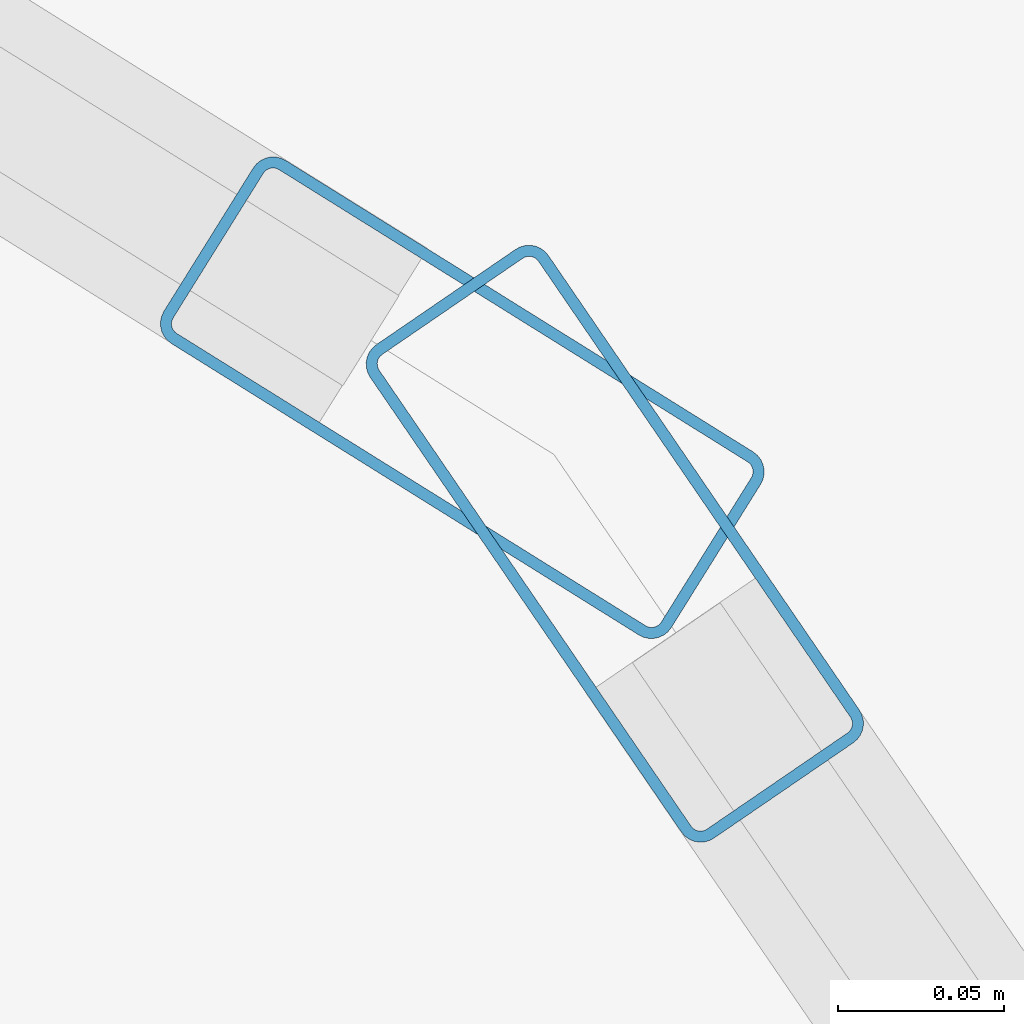
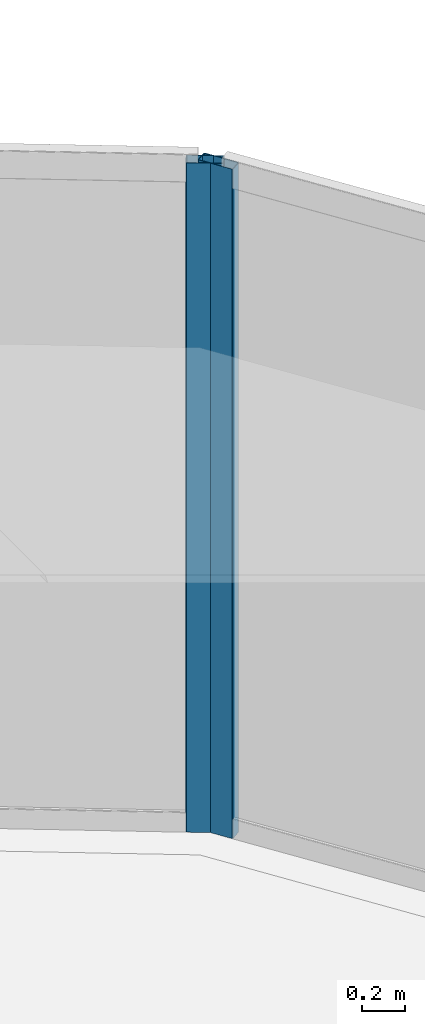
# One storey, part 24 of 43: 2 members, 2 elements without a shape of their own.
"""IFC4 building model written with IfcOpenShell, lengths in metres."""

from ifc_helpers import new_model, si_unit, direction, frame, origin, origin_2d, place, context, subcontext, project, spatial, hollow_rectangle, extrude, material, layer, layer_set, material_profile, profile_set, type_object, element, aggregate, save


model = new_model("IFC4")

# Units and contexts
model_context = context("Model", 3, precision=1e-05, world=origin(), true_north=direction((0.0, 1.0)))
body_context = subcontext(model_context, "Body", "Model", "MODEL_VIEW")
ifc_project = project(units=[si_unit("LENGTHUNIT", "METRE"), si_unit("AREAUNIT", "SQUARE_METRE"), si_unit("VOLUMEUNIT", "CUBIC_METRE"), si_unit("PLANEANGLEUNIT", "RADIAN"), si_unit("MASSUNIT", "GRAM", prefix="KILO")], contexts=[model_context])

# Site, building, storey
site_placement = place(None, origin())
site = spatial("IfcSite", under=ifc_project, at=site_placement, CompositionType="ELEMENT")
building_placement = place(site_placement, origin())
building = spatial("IfcBuilding", under=site, at=building_placement, Name="Qorvath Tower", CompositionType="ELEMENT")
storey_placement = place(building_placement, frame((0.0, 0.0, 213.14990234375)))
storey = spatial("IfcBuildingStorey", under=building, at=storey_placement, Name="L49", CompositionType="ELEMENT", Elevation=213.14990234375)

# Curtain wall, member
ifc_material_1 = material(Name="Anodised aluminium and triple low-E glass", Category="aluminium")
ifc_layer = layer(ifc_material_1, 0.179931640625)
ifc_layer_set = layer_set([ifc_layer], Name="CW-SYS-3")
curtain_wall_type = type_object("IfcCurtainWallType", Name="CW-SYS-3", PredefinedType="NOTDEFINED", material=ifc_layer_set)
curtain_wall_1_placement = place(storey_placement, origin())
curtain_wall_1 = element("IfcCurtainWall", 1, at=curtain_wall_1_placement, inside=storey, type_object=curtain_wall_type, Name="Curtain Wall CW-3 CW-T-L49-13.1", PredefinedType="NOTDEFINED")
ifc_material_2 = material(Name="Anodised aluminium 6063-T6", Category="aluminium")
ifc_material_profile = material_profile(ifc_material_2, hollow_rectangle(XDim=0.06494140625, YDim=0.179931640625, WallThickness=0.00341796875, InnerFilletRadius=0.00341796875, OuterFilletRadius=0.007080078125, at=origin_2d()), Name="CWM 180x65")
ifc_profile_set = profile_set([ifc_material_profile], Name="Anodised aluminium 6063-T6")
member_type = type_object("IfcMemberType", Name="CWM-180", PredefinedType="MULLION", material=ifc_profile_set)
member_1_placement = place(storey_placement, frame((-6.51171875, 20.529541015625, 0.0), z_axis=(0.0, 0.0, 1.0), x_axis=(-0.825322881122, -0.564661085871, 0.0)))
member_1 = element("IfcMember", 2, at=member_1_placement, type_object=member_type, Name="CW-3 mullion 2", PredefinedType="MULLION", context=body_context, shape_type="SweptSolid", body=[
    extrude(hollow_rectangle(XDim=0.06494140625, YDim=0.179931640625, WallThickness=0.00341796875, InnerFilletRadius=0.00341796875, OuterFilletRadius=0.007080078125, at=origin_2d()), origin(), (0.0, 0.0, 1.0), 3.780029296875),
])
aggregate(curtain_wall_1, [member_1])

curtain_wall_2_placement = place(storey_placement, origin())
curtain_wall_2 = element("IfcCurtainWall", 3, at=curtain_wall_2_placement, inside=storey, type_object=curtain_wall_type, Name="Curtain Wall CW-3 CW-T-L49-14.1", PredefinedType="NOTDEFINED")
member_2_placement = place(storey_placement, frame((-6.5576171875, 20.573486328125, 0.0), z_axis=(0.0, 0.0, 1.0), x_axis=(-0.529074089173, -0.848575634912, 0.0)))
member_2 = element("IfcMember", 4, at=member_2_placement, type_object=member_type, Name="CW-3 mullion 1", PredefinedType="MULLION", context=body_context, shape_type="SweptSolid", body=[
    extrude(hollow_rectangle(XDim=0.06494140625, YDim=0.179931640625, WallThickness=0.00341796875, InnerFilletRadius=0.00341796875, OuterFilletRadius=0.007080078125, at=origin_2d()), origin(), (0.0, 0.0, 1.0), 3.780029296875),
])
aggregate(curtain_wall_2, [member_2])

save(model, "model.ifc")
